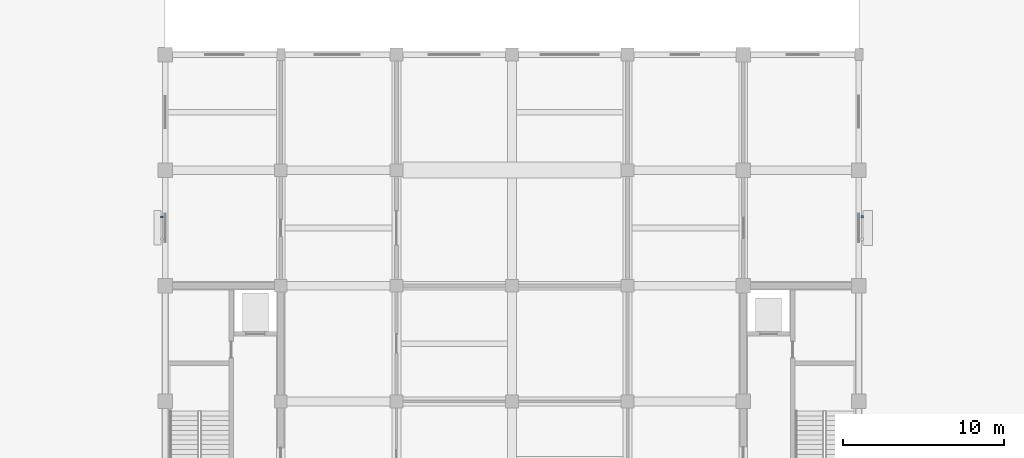
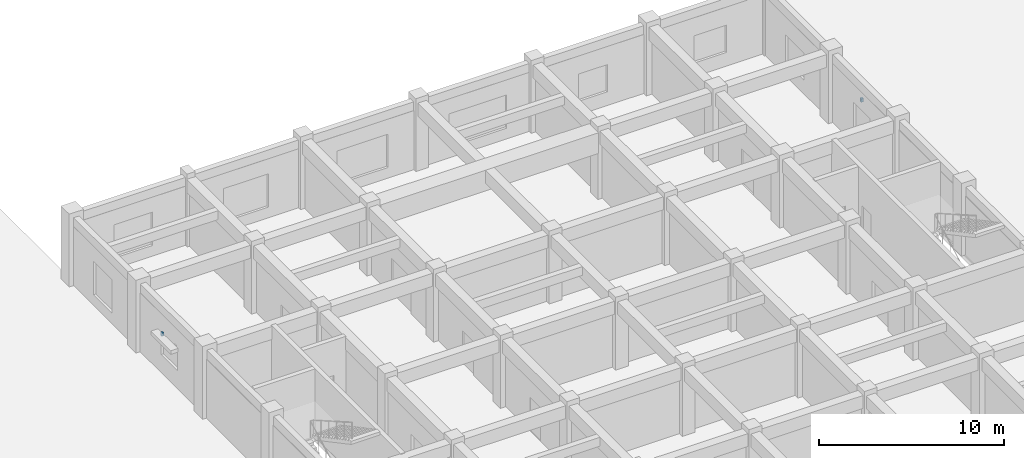
# One storey, part 30 of 37: 2 discrete accessories.
"""IFC4 building model written with IfcOpenShell, lengths in metres."""

from ifc_helpers import new_model, si_unit, direction, frame, origin, origin_2d, place, context, subcontext, project, spatial, rectangle, extrude, material, type_object, element, save


model = new_model("IFC4")

# Units and contexts
model_context = context("Model", 3, precision=1e-05, world=origin(), true_north=direction((0.0, 1.0)))
body_context = subcontext(model_context, "Body", "Model", "MODEL_VIEW")
ifc_project = project(units=[si_unit("LENGTHUNIT", "METRE"), si_unit("AREAUNIT", "SQUARE_METRE"), si_unit("VOLUMEUNIT", "CUBIC_METRE"), si_unit("PLANEANGLEUNIT", "RADIAN"), si_unit("MASSUNIT", "GRAM", prefix="KILO")], contexts=[model_context])

# Site, building, storey
site_placement = place(None, origin())
site = spatial("IfcSite", under=ifc_project, at=site_placement, CompositionType="ELEMENT")
building_placement = place(site_placement, origin())
building = spatial("IfcBuilding", under=site, at=building_placement, Name="Cendaluz Park School", CompositionType="ELEMENT")
storey_placement = place(building_placement, origin())
storey = spatial("IfcBuildingStorey", under=building, at=storey_placement, Name="L00", CompositionType="ELEMENT", Elevation=0.0)

# Discrete accessories
ifc_material = material(Name="Steel S355", Category="steel")
discrete_accessory_type = type_object("IfcDiscreteAccessoryType", Name="BK-01", PredefinedType="BRACKET", material=ifc_material)
for number, where, z_axis, x_axis, name in (
    (1, (64.580078125, 61.887939453125, 2.580078125), (0.0, 0.0, 1.0), (0.0, 1.0, 0.0), "BK-L00-036"),
    (2, (108.219970703125, 61.904052734375, 2.72998046875), (0.0, 0.0, 1.0), (0.0, 1.0, 0.0), "BK-L00-040"),
):
    element("IfcDiscreteAccessory", number, at=place(storey_placement, frame(where, z_axis=z_axis, x_axis=x_axis)), inside=storey, type_object=discrete_accessory_type, Name=name, PredefinedType="BRACKET", context=body_context, shape_type="SweptSolid", body=[
        extrude(rectangle(XDim=0.139892578125, YDim=0.139892578125, at=origin_2d()), origin(), (0.0, 0.0, 1.0), 0.219970703125),
    ])

save(model, "model.ifc")
